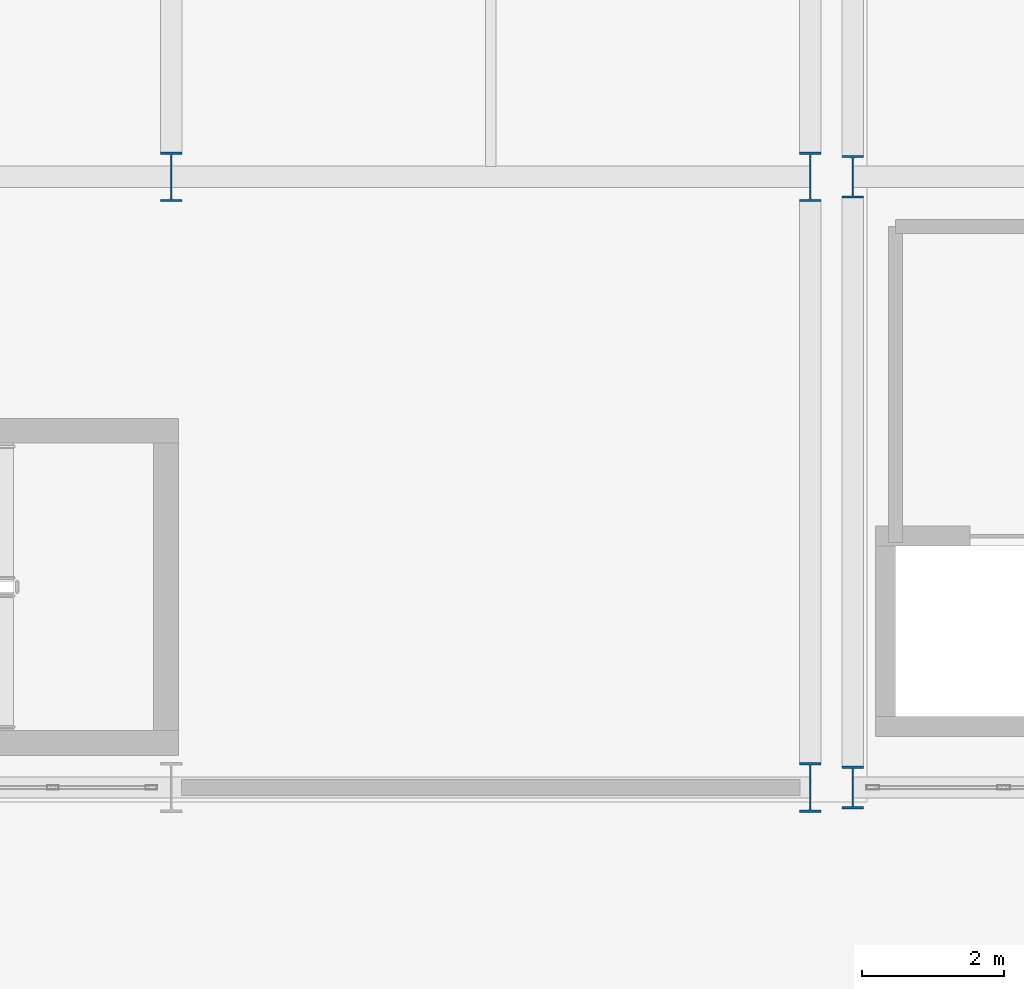
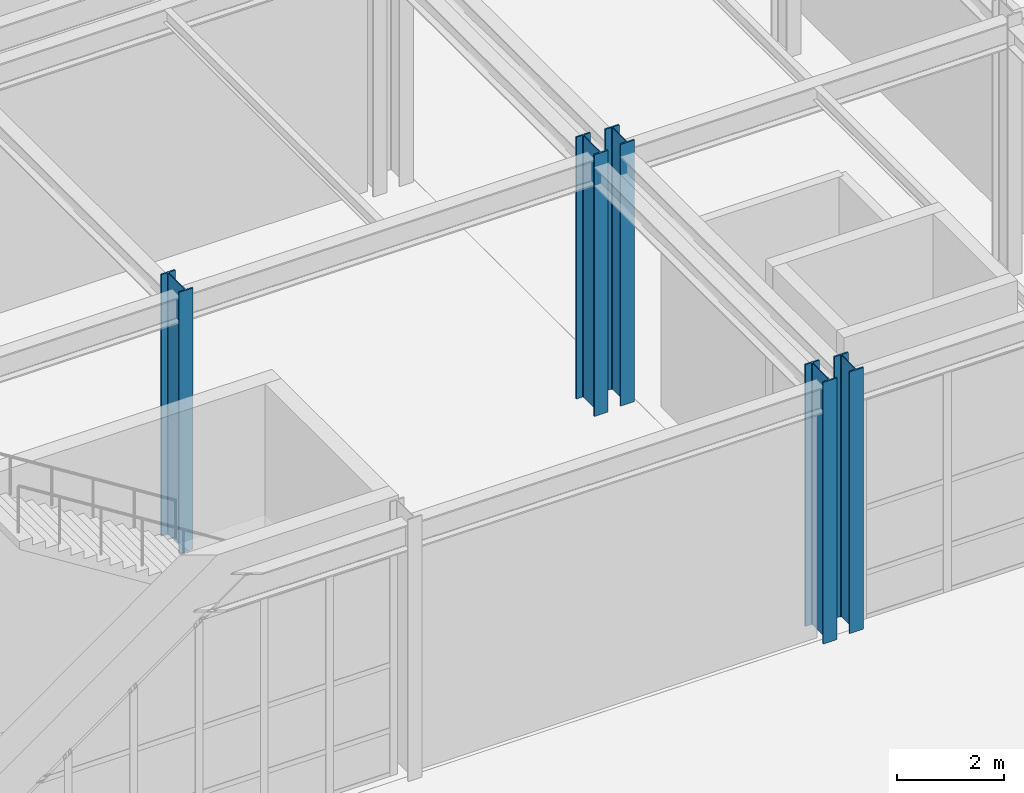
# One storey, part 6 of 146: 5 columns.
"""IFC4 building model written with IfcOpenShell, lengths in metres."""

from ifc_helpers import new_model, si_unit, direction, frame, origin, origin_2d, place, context, subcontext, project, spatial, i_section, extrude, material, material_profile, profile_set, type_object, element, save


model = new_model("IFC4")

# Units and contexts
model_context = context("Model", 3, precision=1e-05, world=origin(), true_north=direction((0.0, 1.0)))
body_context = subcontext(model_context, "Body", "Model", "MODEL_VIEW")
ifc_project = project(units=[si_unit("LENGTHUNIT", "METRE"), si_unit("AREAUNIT", "SQUARE_METRE"), si_unit("VOLUMEUNIT", "CUBIC_METRE"), si_unit("PLANEANGLEUNIT", "RADIAN"), si_unit("MASSUNIT", "GRAM", prefix="KILO")], contexts=[model_context])

# Site, building, storey
site_placement = place(None, origin())
site = spatial("IfcSite", under=ifc_project, at=site_placement, CompositionType="ELEMENT")
building_placement = place(site_placement, origin())
building = spatial("IfcBuilding", under=site, at=building_placement, Name="Kaldris Quays Convention Centre", CompositionType="ELEMENT")
storey_placement = place(building_placement, origin())
storey = spatial("IfcBuildingStorey", under=building, at=storey_placement, Name="L00", CompositionType="ELEMENT", Elevation=0.0)

# Columns
ifc_material = material(Name="Steel S355J2", Category="steel")
ifc_material_profile_1 = material_profile(ifc_material, i_section(OverallWidth=0.300048828125, OverallDepth=0.699951171875, WebThickness=0.01708984375, FlangeThickness=0.031982421875, FilletRadius=0.027099609375, at=origin_2d()), Name="HEB 700")
ifc_profile_set_1 = profile_set([ifc_material_profile_1], Name="Steel S355J2")
column_type_1 = type_object("IfcColumnType", Name="STRUCTURAL COLUMN CL05", PredefinedType="COLUMN", material=ifc_profile_set_1)
for number, where, z_axis, x_axis, name in (
    (1, (137.0, 46.60009765625, 0.0), (0.0, 0.0, 1.0), (1.0, 0.0, 0.0), "L00 V4 Column CL05 (137.00, 46.60)"),
    (2, (146.0, 38.0, 0.0), (0.0, 0.0, 1.0), (1.0, 0.0, 0.0), "L00 V4 Column CL05 (146.00, 38.00)"),
    (3, (146.0, 46.60009765625, 0.0), (0.0, 0.0, 1.0), (1.0, 0.0, 0.0), "L00 V4 Column CL05 (146.00, 46.60)"),
):
    element("IfcColumn", number, at=place(storey_placement, frame(where, z_axis=z_axis, x_axis=x_axis)), inside=storey, type_object=column_type_1, Name=name, PredefinedType="COLUMN", context=body_context, shape_type="SweptSolid", body=[
        extrude(i_section(OverallWidth=0.300048828125, OverallDepth=0.699951171875, WebThickness=0.01708984375, FlangeThickness=0.031982421875, FilletRadius=0.027099609375, at=origin_2d()), origin(), (0.0, 0.0, 1.0), 6.0),
    ])
ifc_material_profile_2 = material_profile(ifc_material, i_section(OverallWidth=0.300048828125, OverallDepth=0.60009765625, WebThickness=0.015380859375, FlangeThickness=0.030029296875, FilletRadius=0.027099609375, at=origin_2d()), Name="HEB 600")
ifc_profile_set_2 = profile_set([ifc_material_profile_2], Name="Steel S355J2")
column_type_2 = type_object("IfcColumnType", Name="STRUCTURAL COLUMN CL06", PredefinedType="COLUMN", material=ifc_profile_set_2)
for number, where, z_axis, x_axis, name in (
    (4, (146.60009765625, 38.0, 0.0), (0.0, 0.0, 1.0), (1.0, 0.0, 0.0), "L00 V4 Column CL06 (146.60, 38.00)"),
    (5, (146.60009765625, 46.60009765625, 0.0), (0.0, 0.0, 1.0), (1.0, 0.0, 0.0), "L00 V4 Column CL06 (146.60, 46.60)"),
):
    element("IfcColumn", number, at=place(storey_placement, frame(where, z_axis=z_axis, x_axis=x_axis)), inside=storey, type_object=column_type_2, Name=name, PredefinedType="COLUMN", context=body_context, shape_type="SweptSolid", body=[
        extrude(i_section(OverallWidth=0.300048828125, OverallDepth=0.60009765625, WebThickness=0.015380859375, FlangeThickness=0.030029296875, FilletRadius=0.027099609375, at=origin_2d()), origin(), (0.0, 0.0, 1.0), 6.0),
    ])

save(model, "model.ifc")
